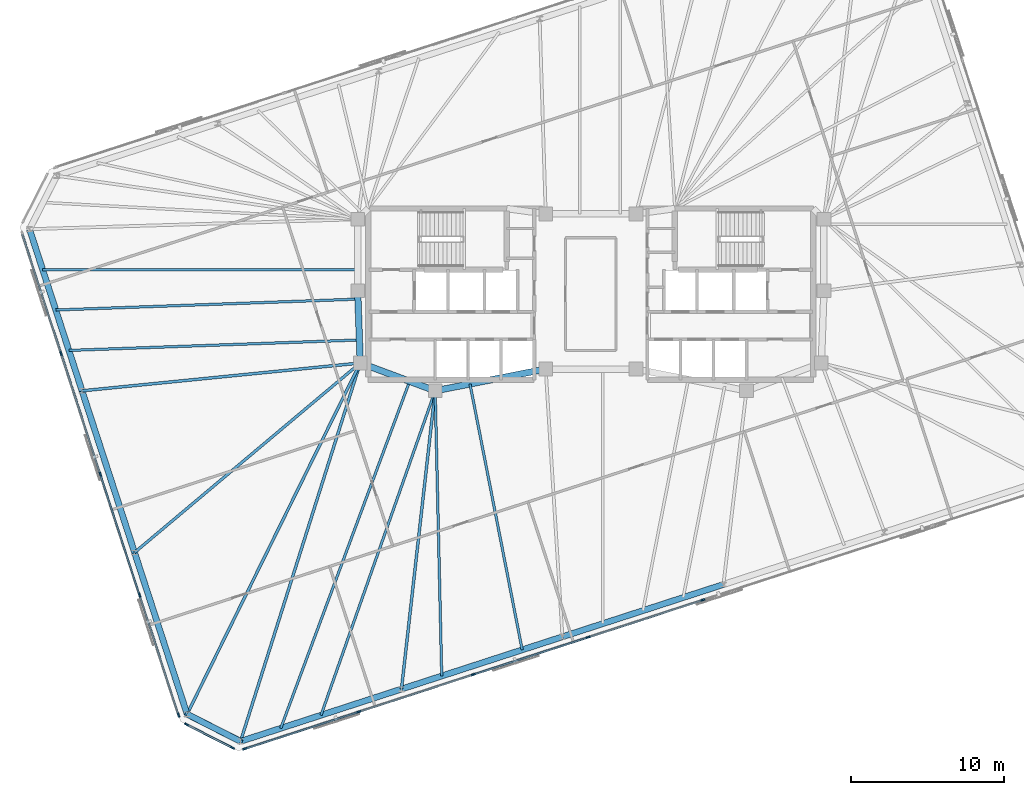
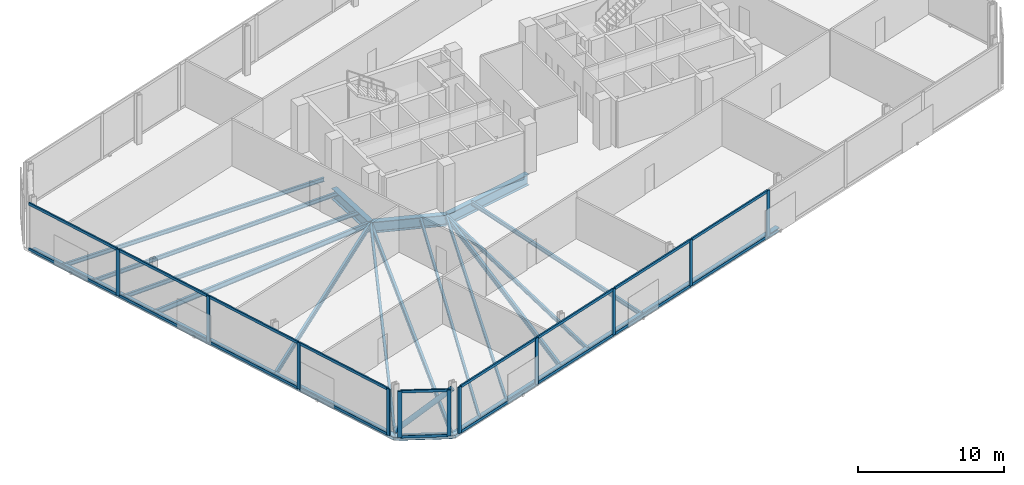
# One storey, part 5 of 14: 30 members, 22 beams, 3 elements without a shape of their own.
"""IFC4 building model written with IfcOpenShell, lengths in metres."""

from ifc_helpers import new_model, si_unit, direction, frame, origin, origin_2d, place, context, subcontext, project, spatial, rectangle, hollow_circle, i_section, extrude, material, material_profile, profile_set, type_object, element, aggregate, save


model = new_model("IFC4")

# Units and contexts
model_context = context("Model", 3, precision=1e-05, world=origin(), true_north=direction((0.0, 1.0)))
body_context = subcontext(model_context, "Body", "Model", "MODEL_VIEW")
ifc_project = project(units=[si_unit("LENGTHUNIT", "METRE"), si_unit("AREAUNIT", "SQUARE_METRE"), si_unit("VOLUMEUNIT", "CUBIC_METRE"), si_unit("PLANEANGLEUNIT", "RADIAN"), si_unit("MASSUNIT", "GRAM", prefix="KILO")], contexts=[model_context])

# Site, building, storey
site_placement = place(None, origin())
site = spatial("IfcSite", under=ifc_project, at=site_placement, CompositionType="ELEMENT")
building_placement = place(site_placement, origin())
building = spatial("IfcBuilding", under=site, at=building_placement, Name="Menara Jurai Vektor", CompositionType="ELEMENT")
storey_placement = place(building_placement, frame((0.0, 0.0, 206.800048828125)))
storey = spatial("IfcBuildingStorey", under=building, at=storey_placement, Name="L54", CompositionType="ELEMENT", Elevation=206.800048828125)

# Curtain wall, members
ifc_material_1 = material(Name="Anodised Pale Aluminium & Low-E Double Glazing", Category="aluminium")
curtain_wall_type = type_object("IfcCurtainWallType", Name="CW-SKY", PredefinedType="NOTDEFINED", material=ifc_material_1)
curtain_wall_1_placement = place(storey_placement, origin())
curtain_wall_1 = element("IfcCurtainWall", 1, at=curtain_wall_1_placement, inside=storey, type_object=curtain_wall_type, Name="Unitised Curtain Wall L54 F01", PredefinedType="NOTDEFINED")
ifc_material_2 = material(Name="Anodised Pale Aluminium Mullion", Category="aluminium")
ifc_material_profile_1 = material_profile(ifc_material_2, rectangle(XDim=0.110107421875, YDim=0.280029296875, at=origin_2d()), Name="ALU MUL 110x280")
ifc_profile_set_1 = profile_set([ifc_material_profile_1], Name="Anodised Pale Aluminium Mullion")
member_type_1 = type_object("IfcMemberType", Name="CW-SKY-MUL", PredefinedType="MULLION", material=ifc_profile_set_1)
member_1_placement = place(storey_placement, frame((-22.635498046875, -29.7392578125, 0.0), z_axis=(0.0, 0.0, 1.0), x_axis=(-0.309017344167, 0.951056402641, 0.0)))
member_1 = element("IfcMember", 2, at=member_1_placement, type_object=member_type_1, Name="CW-06 mullion 1", PredefinedType="MULLION", context=body_context, shape_type="SweptSolid", body=[
    extrude(rectangle(XDim=0.110107421875, YDim=0.280029296875, at=origin_2d()), origin(), (0.0, 0.0, 1.0), 3.875),
])
member_2_placement = place(storey_placement, frame((-15.1826171875, -27.317626953125, 0.0), z_axis=(0.0, 0.0, 1.0), x_axis=(-0.309017344167, 0.951056402641, 0.0)))
member_2 = element("IfcMember", 3, at=member_2_placement, type_object=member_type_1, Name="CW-06 mullion 2", PredefinedType="MULLION", context=body_context, shape_type="SweptSolid", body=[
    extrude(rectangle(XDim=0.110107421875, YDim=0.280029296875, at=origin_2d()), origin(), (0.0, 0.0, 1.0), 3.875),
])
member_3_placement = place(storey_placement, frame((-7.677490234375, -24.879150390625, 0.0), z_axis=(0.0, 0.0, 1.0), x_axis=(-0.309017344167, 0.951056402641, 0.0)))
member_3 = element("IfcMember", 4, at=member_3_placement, type_object=member_type_1, Name="CW-06 mullion 3", PredefinedType="MULLION", context=body_context, shape_type="SweptSolid", body=[
    extrude(rectangle(XDim=0.110107421875, YDim=0.280029296875, at=origin_2d()), origin(), (0.0, 0.0, 1.0), 3.875),
])
member_4_placement = place(storey_placement, frame((-0.17236328125, -22.4404296875, 0.0), z_axis=(0.0, 0.0, 1.0), x_axis=(-0.309017344167, 0.951056402641, 0.0)))
member_4 = element("IfcMember", 5, at=member_4_placement, type_object=member_type_1, Name="CW-06 mullion 4", PredefinedType="MULLION", context=body_context, shape_type="SweptSolid", body=[
    extrude(rectangle(XDim=0.110107421875, YDim=0.280029296875, at=origin_2d()), origin(), (0.0, 0.0, 1.0), 3.875),
])
member_5_placement = place(storey_placement, frame((7.3330078125, -20.001953125, 0.0), z_axis=(0.0, 0.0, 1.0), x_axis=(-0.309017344167, 0.951056402641, 0.0)))
member_5 = element("IfcMember", 6, at=member_5_placement, type_object=member_type_1, Name="CW-06 mullion 5", PredefinedType="MULLION", context=body_context, shape_type="SweptSolid", body=[
    extrude(rectangle(XDim=0.110107421875, YDim=0.280029296875, at=origin_2d()), origin(), (0.0, 0.0, 1.0), 3.875),
])

curtain_wall_2_placement = place(storey_placement, origin())
curtain_wall_2 = element("IfcCurtainWall", 7, at=curtain_wall_2_placement, inside=storey, type_object=curtain_wall_type, Name="Unitised Curtain Wall L54 F07", PredefinedType="NOTDEFINED")
member_6_placement = place(storey_placement, frame((-34.650634765625, -3.876220703125, 0.0), z_axis=(0.0, 0.0, 1.0), x_axis=(0.95105668295, 0.309016481464, 0.0)))
member_6 = element("IfcMember", 8, at=member_6_placement, type_object=member_type_1, Name="CW-06 mullion 2", PredefinedType="MULLION", context=body_context, shape_type="SweptSolid", body=[
    extrude(rectangle(XDim=0.110107421875, YDim=0.280029296875, at=origin_2d()), origin(), (0.0, 0.0, 1.0), 3.875),
])
member_7_placement = place(storey_placement, frame((-32.082763671875, -11.779541015625, 0.0), z_axis=(0.0, 0.0, 1.0), x_axis=(0.95105668295, 0.309016481464, 0.0)))
member_7 = element("IfcMember", 9, at=member_7_placement, type_object=member_type_1, Name="CW-06 mullion 3", PredefinedType="MULLION", context=body_context, shape_type="SweptSolid", body=[
    extrude(rectangle(XDim=0.110107421875, YDim=0.280029296875, at=origin_2d()), origin(), (0.0, 0.0, 1.0), 3.875),
])
member_8_placement = place(storey_placement, frame((-29.514892578125, -19.682861328125, 0.0), z_axis=(0.0, 0.0, 1.0), x_axis=(0.95105668295, 0.309016481464, 0.0)))
member_8 = element("IfcMember", 10, at=member_8_placement, type_object=member_type_1, Name="CW-06 mullion 4", PredefinedType="MULLION", context=body_context, shape_type="SweptSolid", body=[
    extrude(rectangle(XDim=0.110107421875, YDim=0.280029296875, at=origin_2d()), origin(), (0.0, 0.0, 1.0), 3.875),
])
member_9_placement = place(storey_placement, frame((-26.9638671875, -27.53369140625, 0.0), z_axis=(0.0, 0.0, 1.0), x_axis=(0.95105668295, 0.309016481464, 0.0)))
member_9 = element("IfcMember", 11, at=member_9_placement, type_object=member_type_1, Name="CW-06 mullion 5", PredefinedType="MULLION", context=body_context, shape_type="SweptSolid", body=[
    extrude(rectangle(XDim=0.110107421875, YDim=0.280029296875, at=origin_2d()), origin(), (0.0, 0.0, 1.0), 3.875),
])

curtain_wall_3_placement = place(storey_placement, origin())
curtain_wall_3 = element("IfcCurtainWall", 12, at=curtain_wall_3_placement, inside=storey, type_object=curtain_wall_type, Name="Unitised Curtain Wall L54 F08", PredefinedType="NOTDEFINED")
member_10_placement = place(storey_placement, frame((-26.44189453125, -28.14501953125, 0.0), z_axis=(0.0, 0.0, 1.0), x_axis=(0.453988579828, 0.89100750243, 0.0)))
member_10 = element("IfcMember", 13, at=member_10_placement, type_object=member_type_1, Name="CW-06 mullion 1", PredefinedType="MULLION", context=body_context, shape_type="SweptSolid", body=[
    extrude(rectangle(XDim=0.110107421875, YDim=0.280029296875, at=origin_2d()), origin(), (0.0, 0.0, 1.0), 3.875),
])
member_11_placement = place(storey_placement, frame((-23.436767578125, -29.676025390625, 0.0), z_axis=(0.0, 0.0, 1.0), x_axis=(0.453988579828, 0.89100750243, 0.0)))
member_11 = element("IfcMember", 14, at=member_11_placement, type_object=member_type_1, Name="CW-06 mullion 2", PredefinedType="MULLION", context=body_context, shape_type="SweptSolid", body=[
    extrude(rectangle(XDim=0.110107421875, YDim=0.280029296875, at=origin_2d()), origin(), (0.0, 0.0, 1.0), 3.875),
])

# Member
ifc_material_3 = material(Name="Anodised Pale Aluminium Transom", Category="aluminium")
ifc_material_profile_2 = material_profile(ifc_material_3, rectangle(XDim=0.110107421875, YDim=0.219970703125, at=origin_2d()), Name="ALU TRN 110x220")
ifc_profile_set_2 = profile_set([ifc_material_profile_2], Name="Anodised Pale Aluminium Transom")
member_type_2 = type_object("IfcMemberType", Name="CW-SKY-TRN", PredefinedType="USERDEFINED", material=ifc_profile_set_2)
member_12_placement = place(storey_placement, frame((-22.583251953125, -29.72216796875, 0.054931640625), z_axis=(0.951063554534, 0.308995332064, 0.0), x_axis=(-0.308995332064, 0.951063554534, 0.0)))
member_12 = element("IfcMember", 15, at=member_12_placement, type_object=member_type_2, Name="CW-06 transom 1.1", ObjectType="TRANSOM", PredefinedType="USERDEFINED", context=body_context, shape_type="SweptSolid", body=[
    extrude(rectangle(XDim=0.110107421875, YDim=0.219970703125, at=origin_2d()), origin(), (0.0, 0.0, 1.0), 7.7265625),
])

member_13_placement = place(storey_placement, frame((-22.583251953125, -29.72216796875, 3.820068359375), z_axis=(0.951063554534, 0.308995332064, 0.0), x_axis=(-0.308995332064, 0.951063554534, 0.0)))
member_13 = element("IfcMember", 16, at=member_13_placement, type_object=member_type_2, Name="CW-06 transom 1.2", ObjectType="TRANSOM", PredefinedType="USERDEFINED", context=body_context, shape_type="SweptSolid", body=[
    extrude(rectangle(XDim=0.110107421875, YDim=0.219970703125, at=origin_2d()), origin(), (0.0, 0.0, 1.0), 7.7265625),
])

member_14_placement = place(storey_placement, frame((-15.13037109375, -27.300537109375, 0.054931640625), z_axis=(0.951059197217, 0.309008743225, 0.0), x_axis=(-0.309008743225, 0.951059197217, 0.0)))
member_14 = element("IfcMember", 17, at=member_14_placement, type_object=member_type_2, Name="CW-06 transom 2.1", ObjectType="TRANSOM", PredefinedType="USERDEFINED", context=body_context, shape_type="SweptSolid", body=[
    extrude(rectangle(XDim=0.110107421875, YDim=0.219970703125, at=origin_2d()), origin(), (0.0, 0.0, 1.0), 7.781494140625),
])

member_15_placement = place(storey_placement, frame((-15.13037109375, -27.300537109375, 3.820068359375), z_axis=(0.951059197217, 0.309008743225, 0.0), x_axis=(-0.309008743225, 0.951059197217, 0.0)))
member_15 = element("IfcMember", 18, at=member_15_placement, type_object=member_type_2, Name="CW-06 transom 2.2", ObjectType="TRANSOM", PredefinedType="USERDEFINED", context=body_context, shape_type="SweptSolid", body=[
    extrude(rectangle(XDim=0.110107421875, YDim=0.219970703125, at=origin_2d()), origin(), (0.0, 0.0, 1.0), 7.781494140625),
])

member_16_placement = place(storey_placement, frame((-7.625, -24.862060546875, 0.054931640625), z_axis=(0.951056201232, 0.309017964038, 0.0), x_axis=(-0.309017964038, 0.951056201232, 0.0)))
member_16 = element("IfcMember", 19, at=member_16_placement, type_object=member_type_2, Name="CW-06 transom 3.1", ObjectType="TRANSOM", PredefinedType="USERDEFINED", context=body_context, shape_type="SweptSolid", body=[
    extrude(rectangle(XDim=0.110107421875, YDim=0.219970703125, at=origin_2d()), origin(), (0.0, 0.0, 1.0), 7.78125),
])

member_17_placement = place(storey_placement, frame((-7.625, -24.862060546875, 3.820068359375), z_axis=(0.951056201232, 0.309017964038, 0.0), x_axis=(-0.309017964038, 0.951056201232, 0.0)))
member_17 = element("IfcMember", 20, at=member_17_placement, type_object=member_type_2, Name="CW-06 transom 3.2", ObjectType="TRANSOM", PredefinedType="USERDEFINED", context=body_context, shape_type="SweptSolid", body=[
    extrude(rectangle(XDim=0.110107421875, YDim=0.219970703125, at=origin_2d()), origin(), (0.0, 0.0, 1.0), 7.78125),
])

member_18_placement = place(storey_placement, frame((-0.119873046875, -22.42333984375, 0.054931640625), z_axis=(0.951056201232, 0.309017964038, 0.0), x_axis=(-0.309017964038, 0.951056201232, 0.0)))
member_18 = element("IfcMember", 21, at=member_18_placement, type_object=member_type_2, Name="CW-06 transom 4.1", ObjectType="TRANSOM", PredefinedType="USERDEFINED", context=body_context, shape_type="SweptSolid", body=[
    extrude(rectangle(XDim=0.110107421875, YDim=0.219970703125, at=origin_2d()), origin(), (0.0, 0.0, 1.0), 7.78125),
])

member_19_placement = place(storey_placement, frame((-0.119873046875, -22.42333984375, 3.820068359375), z_axis=(0.951056201232, 0.309017964038, 0.0), x_axis=(-0.309017964038, 0.951056201232, 0.0)))
member_19 = element("IfcMember", 22, at=member_19_placement, type_object=member_type_2, Name="CW-06 transom 4.2", ObjectType="TRANSOM", PredefinedType="USERDEFINED", context=body_context, shape_type="SweptSolid", body=[
    extrude(rectangle(XDim=0.110107421875, YDim=0.219970703125, at=origin_2d()), origin(), (0.0, 0.0, 1.0), 7.78125),
])

aggregate(curtain_wall_1, [member_1, member_2, member_3, member_4, member_5, member_12, member_13, member_14, member_15, member_16, member_17, member_18, member_19])

member_20_placement = place(storey_placement, frame((-37.1845703125, 3.92236328125, 0.054931640625), z_axis=(0.30900677194, -0.951059837705, 0.0), x_axis=(0.951059837705, 0.30900677194, 0.0)))
member_20 = element("IfcMember", 23, at=member_20_placement, type_object=member_type_2, Name="CW-06 transom 1.1", ObjectType="TRANSOM", PredefinedType="USERDEFINED", context=body_context, shape_type="SweptSolid", body=[
    extrude(rectangle(XDim=0.110107421875, YDim=0.219970703125, at=origin_2d()), origin(), (0.0, 0.0, 1.0), 8.14501953125),
])

member_21_placement = place(storey_placement, frame((-37.1845703125, 3.92236328125, 3.820068359375), z_axis=(0.30900677194, -0.951059837705, 0.0), x_axis=(0.951059837705, 0.30900677194, 0.0)))
member_21 = element("IfcMember", 24, at=member_21_placement, type_object=member_type_2, Name="CW-06 transom 1.2", ObjectType="TRANSOM", PredefinedType="USERDEFINED", context=body_context, shape_type="SweptSolid", body=[
    extrude(rectangle(XDim=0.110107421875, YDim=0.219970703125, at=origin_2d()), origin(), (0.0, 0.0, 1.0), 8.14501953125),
])

member_22_placement = place(storey_placement, frame((-34.6337890625, -3.928466796875, 0.054931640625), z_axis=(0.309010671921, -0.951058570562, 0.0), x_axis=(0.951058570562, 0.309010671921, 0.0)))
member_22 = element("IfcMember", 25, at=member_22_placement, type_object=member_type_2, Name="CW-06 transom 2.1", ObjectType="TRANSOM", PredefinedType="USERDEFINED", context=body_context, shape_type="SweptSolid", body=[
    extrude(rectangle(XDim=0.110107421875, YDim=0.219970703125, at=origin_2d()), origin(), (0.0, 0.0, 1.0), 8.2001953125),
])

member_23_placement = place(storey_placement, frame((-34.6337890625, -3.928466796875, 3.820068359375), z_axis=(0.309010671921, -0.951058570562, 0.0), x_axis=(0.951058570562, 0.309010671921, 0.0)))
member_23 = element("IfcMember", 26, at=member_23_placement, type_object=member_type_2, Name="CW-06 transom 2.2", ObjectType="TRANSOM", PredefinedType="USERDEFINED", context=body_context, shape_type="SweptSolid", body=[
    extrude(rectangle(XDim=0.110107421875, YDim=0.219970703125, at=origin_2d()), origin(), (0.0, 0.0, 1.0), 8.2001953125),
])

member_24_placement = place(storey_placement, frame((-32.065673828125, -11.831787109375, 0.054931640625), z_axis=(0.309010671921, -0.951058570562, 0.0), x_axis=(0.951058570562, 0.309010671921, 0.0)))
member_24 = element("IfcMember", 27, at=member_24_placement, type_object=member_type_2, Name="CW-06 transom 3.1", ObjectType="TRANSOM", PredefinedType="USERDEFINED", context=body_context, shape_type="SweptSolid", body=[
    extrude(rectangle(XDim=0.110107421875, YDim=0.219970703125, at=origin_2d()), origin(), (0.0, 0.0, 1.0), 8.2001953125),
])

member_25_placement = place(storey_placement, frame((-32.065673828125, -11.831787109375, 3.820068359375), z_axis=(0.309010671921, -0.951058570562, 0.0), x_axis=(0.951058570562, 0.309010671921, 0.0)))
member_25 = element("IfcMember", 28, at=member_25_placement, type_object=member_type_2, Name="CW-06 transom 3.2", ObjectType="TRANSOM", PredefinedType="USERDEFINED", context=body_context, shape_type="SweptSolid", body=[
    extrude(rectangle(XDim=0.110107421875, YDim=0.219970703125, at=origin_2d()), origin(), (0.0, 0.0, 1.0), 8.2001953125),
])

member_26_placement = place(storey_placement, frame((-29.497802734375, -19.735107421875, 0.054931640625), z_axis=(0.30900677194, -0.951059837705, 0.0), x_axis=(0.951059837705, 0.30900677194, 0.0)))
member_26 = element("IfcMember", 29, at=member_26_placement, type_object=member_type_2, Name="CW-06 transom 4.1", ObjectType="TRANSOM", PredefinedType="USERDEFINED", context=body_context, shape_type="SweptSolid", body=[
    extrude(rectangle(XDim=0.110107421875, YDim=0.219970703125, at=origin_2d()), origin(), (0.0, 0.0, 1.0), 8.14501953125),
])

member_27_placement = place(storey_placement, frame((-29.497802734375, -19.735107421875, 3.820068359375), z_axis=(0.30900677194, -0.951059837705, 0.0), x_axis=(0.951059837705, 0.30900677194, 0.0)))
member_27 = element("IfcMember", 30, at=member_27_placement, type_object=member_type_2, Name="CW-06 transom 4.2", ObjectType="TRANSOM", PredefinedType="USERDEFINED", context=body_context, shape_type="SweptSolid", body=[
    extrude(rectangle(XDim=0.110107421875, YDim=0.219970703125, at=origin_2d()), origin(), (0.0, 0.0, 1.0), 8.14501953125),
])

aggregate(curtain_wall_2, [member_6, member_7, member_8, member_9, member_20, member_21, member_22, member_23, member_24, member_25, member_26, member_27])

member_28_placement = place(storey_placement, frame((-26.392822265625, -28.169921875, 0.054931640625), z_axis=(0.891004088303, -0.453995280401, 0.0), x_axis=(0.453995280401, 0.891004088303, 0.0)))
member_28 = element("IfcMember", 31, at=member_28_placement, type_object=member_type_2, Name="CW-06 transom 1.1", ObjectType="TRANSOM", PredefinedType="USERDEFINED", context=body_context, shape_type="SweptSolid", body=[
    extrude(rectangle(XDim=0.110107421875, YDim=0.219970703125, at=origin_2d()), origin(), (0.0, 0.0, 1.0), 3.2626953125),
])

member_29_placement = place(storey_placement, frame((-26.392822265625, -28.169921875, 3.820068359375), z_axis=(0.891004088303, -0.453995280401, 0.0), x_axis=(0.453995280401, 0.891004088303, 0.0)))
member_29 = element("IfcMember", 32, at=member_29_placement, type_object=member_type_2, Name="CW-06 transom 1.2", ObjectType="TRANSOM", PredefinedType="USERDEFINED", context=body_context, shape_type="SweptSolid", body=[
    extrude(rectangle(XDim=0.110107421875, YDim=0.219970703125, at=origin_2d()), origin(), (0.0, 0.0, 1.0), 3.2626953125),
])

aggregate(curtain_wall_3, [member_10, member_11, member_28, member_29])

# Beams
ifc_material_4 = material(Name="Steel S355", Category="steel")
ifc_material_profile_3 = material_profile(ifc_material_4, i_section(OverallWidth=0.18505859375, OverallDepth=0.429931640625, WebThickness=0.010986328125, FlangeThickness=0.01806640625, at=origin_2d()), Name="PG 430x185x76")
ifc_profile_set_3 = profile_set([ifc_material_profile_3], Name="Steel S355")
beam_type_1 = type_object("IfcBeamType", Name="STR-BM-430", PredefinedType="BEAM", material=ifc_profile_set_3)
beam_1_placement = place(storey_placement, frame((-22.912841796875, -29.2509765625, -0.465087890625), z_axis=(0.301715059084, 0.953398145122, 0.0), x_axis=(-0.953398145122, 0.301715059084, 0.0)))
element("IfcBeam", 33, at=beam_1_placement, inside=storey, type_object=beam_type_1, Name="Radial Floor Girder L54-S1", PredefinedType="BEAM", context=body_context, shape_type="SweptSolid", body=[
    extrude(i_section(OverallWidth=0.18505859375, OverallDepth=0.429931640625, WebThickness=0.010986328125, FlangeThickness=0.01806640625, at=origin_2d()), origin(), (0.0, 0.0, 1.0), 25.960693359375),
])
beam_2_placement = place(storey_placement, frame((-12.383544921875, -25.829833984375, -0.465087890625), z_axis=(0.112235588534, 0.993681625404, 0.0), x_axis=(-0.993681625404, 0.112235588534, 0.0)))
element("IfcBeam", 34, at=beam_2_placement, inside=storey, type_object=beam_type_1, Name="Radial Floor Girder L54-S2", PredefinedType="BEAM", context=body_context, shape_type="SweptSolid", body=[
    extrude(i_section(OverallWidth=0.18505859375, OverallDepth=0.429931640625, WebThickness=0.010986328125, FlangeThickness=0.01806640625, at=origin_2d()), origin(), (0.0, 0.0, 1.0), 19.6337890625),
])
beam_3_placement = place(storey_placement, frame((-33.277587890625, -6.322509765625, -0.465087890625), z_axis=(0.995022243563, 0.099653072276, 0.0), x_axis=(-0.099653072276, 0.995022243563, 0.0)))
element("IfcBeam", 35, at=beam_3_placement, inside=storey, type_object=beam_type_1, Name="Radial Floor Girder L54-W2", PredefinedType="BEAM", context=body_context, shape_type="SweptSolid", body=[
    extrude(i_section(OverallWidth=0.18505859375, OverallDepth=0.429931640625, WebThickness=0.010986328125, FlangeThickness=0.01806640625, at=origin_2d()), origin(), (0.0, 0.0, 1.0), 18.28857421875),
])
beam_4_placement = place(storey_placement, frame((-29.841796875, -16.896728515625, -0.465087890625), z_axis=(0.765784449649, 0.64309733064, 0.0), x_axis=(-0.64309733064, 0.765784449649, 0.0)))
element("IfcBeam", 36, at=beam_4_placement, inside=storey, type_object=beam_type_1, Name="Radial Floor Girder L54-W3", PredefinedType="BEAM", context=body_context, shape_type="SweptSolid", body=[
    extrude(i_section(OverallWidth=0.18505859375, OverallDepth=0.429931640625, WebThickness=0.010986328125, FlangeThickness=0.01806640625, at=origin_2d()), origin(), (0.0, 0.0, 1.0), 19.276611328125),
])
beam_5_placement = place(storey_placement, frame((-26.406005859375, -27.47119140625, -0.465087890625), z_axis=(0.442219272094, 0.896906971424, 0.0), x_axis=(-0.896906971424, 0.442219272094, 0.0)))
element("IfcBeam", 37, at=beam_5_placement, inside=storey, type_object=beam_type_1, Name="Radial Floor Girder L54-W4", PredefinedType="BEAM", context=body_context, shape_type="SweptSolid", body=[
    extrude(i_section(OverallWidth=0.18505859375, OverallDepth=0.429931640625, WebThickness=0.010986328125, FlangeThickness=0.01806640625, at=origin_2d()), origin(), (0.0, 0.0, 1.0), 25.611572265625),
])
ifc_material_5 = material(Name="Steel S460", Category="steel")
ifc_material_profile_4 = material_profile(ifc_material_5, i_section(OverallWidth=0.39697265625, OverallDepth=0.31591796875, WebThickness=0.030029296875, FlangeThickness=0.048095703125, FilletRadius=0.014892578125, at=origin_2d()), Name="HD 400x382")
ifc_profile_set_4 = profile_set([ifc_material_profile_4], Name="Steel S460")
beam_type_2 = type_object("IfcBeamType", Name="STR-BM-CHORD382", PredefinedType="SPANDREL", material=ifc_profile_set_4)
for number, where, z_axis, x_axis, name in (
    (38, (-22.912841796875, -29.2509765625, -0.407958984375), (0.951057401967, 0.309014268544, 0.0), (-0.309014268544, 0.951057401967, 0.0), "Exoskeleton Spandrel Beam L54-01"),
    (39, (-12.383544921875, -25.829833984375, -0.407958984375), (0.951057401967, 0.309014268544, 0.0), (-0.309014268544, 0.951057401967, 0.0), "Exoskeleton Spandrel Beam L54-02"),
    (40, (-1.854248046875, -22.40869140625, -0.407958984375), (0.951057401967, 0.309014268544, 0.0), (-0.309014268544, 0.951057401967, 0.0), "Exoskeleton Spandrel Beam L54-03"),
):
    element("IfcBeam", number, at=place(storey_placement, frame(where, z_axis=z_axis, x_axis=x_axis)), inside=storey, type_object=beam_type_2, Name=name, PredefinedType="SPANDREL", context=body_context, shape_type="SweptSolid", body=[
        extrude(i_section(OverallWidth=0.39697265625, OverallDepth=0.31591796875, WebThickness=0.030029296875, FlangeThickness=0.048095703125, FilletRadius=0.014892578125, at=origin_2d()), origin(), (0.0, 0.0, 1.0), 11.071044921875),
    ])
beam_6_placement = place(storey_placement, frame((-36.71337890625, 4.251953125, -0.407958984375), z_axis=(0.309012092614, -0.95105810896, 0.0), x_axis=(0.95105810896, 0.309012092614, 0.0)))
element("IfcBeam", 41, at=beam_6_placement, inside=storey, type_object=beam_type_2, Name="Exoskeleton Spandrel Beam L54-17", PredefinedType="SPANDREL", context=body_context, shape_type="SweptSolid", body=[
    extrude(i_section(OverallWidth=0.39697265625, OverallDepth=0.31591796875, WebThickness=0.030029296875, FlangeThickness=0.048095703125, FilletRadius=0.014892578125, at=origin_2d()), origin(), (0.0, 0.0, 1.0), 11.11865234375),
])
beam_7_placement = place(storey_placement, frame((-33.277587890625, -6.322509765625, -0.407958984375), z_axis=(0.309018545885, -0.951056012178, 0.0), x_axis=(0.951056012178, 0.309018545885, 0.0)))
element("IfcBeam", 42, at=beam_7_placement, inside=storey, type_object=beam_type_2, Name="Exoskeleton Spandrel Beam L54-18", PredefinedType="SPANDREL", context=body_context, shape_type="SweptSolid", body=[
    extrude(i_section(OverallWidth=0.39697265625, OverallDepth=0.31591796875, WebThickness=0.030029296875, FlangeThickness=0.048095703125, FilletRadius=0.014892578125, at=origin_2d()), origin(), (0.0, 0.0, 1.0), 11.118408203125),
])
beam_8_placement = place(storey_placement, frame((-29.841796875, -16.896728515625, -0.407958984375), z_axis=(0.309012092614, -0.95105810896, 0.0), x_axis=(0.95105810896, 0.309012092614, 0.0)))
element("IfcBeam", 43, at=beam_8_placement, inside=storey, type_object=beam_type_2, Name="Exoskeleton Spandrel Beam L54-19", PredefinedType="SPANDREL", context=body_context, shape_type="SweptSolid", body=[
    extrude(i_section(OverallWidth=0.39697265625, OverallDepth=0.31591796875, WebThickness=0.030029296875, FlangeThickness=0.048095703125, FilletRadius=0.014892578125, at=origin_2d()), origin(), (0.0, 0.0, 1.0), 11.11865234375),
])
beam_9_placement = place(storey_placement, frame((-26.406005859375, -27.47119140625, -0.407958984375), z_axis=(0.891013832566, -0.453976155955, 0.0), x_axis=(0.453976155955, 0.891013832566, 0.0)))
element("IfcBeam", 44, at=beam_9_placement, inside=storey, type_object=beam_type_2, Name="Exoskeleton Spandrel Beam L54-20", PredefinedType="SPANDREL", context=body_context, shape_type="SweptSolid", body=[
    extrude(i_section(OverallWidth=0.39697265625, OverallDepth=0.31591796875, WebThickness=0.030029296875, FlangeThickness=0.048095703125, FilletRadius=0.014892578125, at=origin_2d()), origin(), (0.0, 0.0, 1.0), 3.92041015625),
])
ifc_material_profile_5 = material_profile(ifc_material_5, i_section(OverallWidth=0.4208984375, OverallDepth=0.9208984375, WebThickness=0.02099609375, FlangeThickness=0.037109375, FilletRadius=0.02392578125, at=origin_2d()), Name="UKB 914x419x388")
ifc_profile_set_5 = profile_set([ifc_material_profile_5], Name="Steel S460")
beam_type_3 = type_object("IfcBeamType", Name="STR-BM-TR914", PredefinedType="BEAM", material=ifc_profile_set_5)
beam_10_placement = place(storey_placement, frame((-15.080078125, -4.5, -0.71044921875), z_axis=(-0.035977314146, 0.999352606874, 0.0), x_axis=(-0.999352606874, -0.035977314146, 0.0)))
element("IfcBeam", 45, at=beam_10_placement, inside=storey, type_object=beam_type_3, Name="Core Ring Header Girder L54-CHW-W2", PredefinedType="BEAM", context=body_context, shape_type="SweptSolid", body=[
    extrude(i_section(OverallWidth=0.4208984375, OverallDepth=0.9208984375, WebThickness=0.02099609375, FlangeThickness=0.037109375, FilletRadius=0.02392578125, at=origin_2d()), origin(), (0.0, 0.0, 1.0), 4.72314453125),
])
beam_11_placement = place(storey_placement, frame((-15.080078125, -4.5, -0.71044921875), z_axis=(0.937424400887, -0.348188874925, 0.0), x_axis=(0.348188874925, 0.937424400887, 0.0)))
element("IfcBeam", 46, at=beam_11_placement, inside=storey, type_object=beam_type_3, Name="Core Ring Header Girder L54-CHW-S1", PredefinedType="BEAM", context=body_context, shape_type="SweptSolid", body=[
    extrude(i_section(OverallWidth=0.4208984375, OverallDepth=0.9208984375, WebThickness=0.02099609375, FlangeThickness=0.037109375, FilletRadius=0.02392578125, at=origin_2d()), origin(), (0.0, 0.0, 1.0), 5.227294921875),
])
beam_12_placement = place(storey_placement, frame((-10.179931640625, -6.320068359375, -0.71044921875), z_axis=(0.981249044334, 0.192744164614, 0.0), x_axis=(-0.192744164614, 0.981249044334, 0.0)))
element("IfcBeam", 47, at=beam_12_placement, inside=storey, type_object=beam_type_3, Name="Core Ring Header Girder L54-CHW-S2", PredefinedType="BEAM", context=body_context, shape_type="SweptSolid", body=[
    extrude(i_section(OverallWidth=0.4208984375, OverallDepth=0.9208984375, WebThickness=0.02099609375, FlangeThickness=0.037109375, FilletRadius=0.02392578125, at=origin_2d()), origin(), (0.0, 0.0, 1.0), 7.3681640625),
])

# Member
ifc_material_profile_6 = material_profile(ifc_material_5, hollow_circle(Radius=0.203125, WallThickness=0.01611328125, at=origin_2d()), Name="CHS 406.4x16")
ifc_profile_set_6 = profile_set([ifc_material_profile_6], Name="Steel S460")
member_type_3 = type_object("IfcMemberType", Name="STR-BR-406", PredefinedType="BRACE", material=ifc_profile_set_6)
member_30_placement = place(storey_placement, frame((-26.406005859375, -27.47119140625, 0.14990234375), z_axis=(0.675261880456, -0.344049420501, 0.652419641838), x_axis=(0.453976155955, 0.891013832566, 0.0)))
element("IfcMember", 48, at=member_30_placement, inside=storey, type_object=member_type_3, Name="Exoskeleton Corner Brace L54-4", PredefinedType="BRACE", context=body_context, shape_type="SweptSolid", body=[
    extrude(hollow_circle(Radius=0.203125, WallThickness=0.01611328125, at=origin_2d()), origin(), (0.0, 0.0, 1.0), 5.173095703125),
])

# Beams
ifc_material_profile_7 = material_profile(ifc_material_4, i_section(OverallWidth=0.1650390625, OverallDepth=0.330078125, WebThickness=0.009033203125, FlangeThickness=0.013916015625, at=origin_2d()), Name="PG 330x165x46")
ifc_profile_set_7 = profile_set([ifc_material_profile_7], Name="Steel S355")
beam_type_4 = type_object("IfcBeamType", Name="STR-JS-330", PredefinedType="JOIST", material=ifc_profile_set_7)
beam_13_placement = place(storey_placement, frame((-20.280517578125, -28.395751953125, -0.4150390625), z_axis=(0.348182225555, 0.937426870645, 0.0), x_axis=(-0.937426870645, 0.348182225555, 0.0)))
element("IfcBeam", 49, at=beam_13_placement, inside=storey, type_object=beam_type_4, Name="Radial Secondary Floor Joist L54-JS01", PredefinedType="JOIST", context=body_context, shape_type="SweptSolid", body=[
    extrude(i_section(OverallWidth=0.1650390625, OverallDepth=0.330078125, WebThickness=0.009033203125, FlangeThickness=0.013916015625, at=origin_2d()), origin(), (0.0, 0.0, 1.0), 24.211181640625),
])
beam_14_placement = place(storey_placement, frame((-17.648193359375, -27.540283203125, -0.4150390625), z_axis=(0.331980963321, 0.943286085974, 0.0), x_axis=(-0.943286085974, 0.331980963321, 0.0)))
element("IfcBeam", 50, at=beam_14_placement, inside=storey, type_object=beam_type_4, Name="Radial Secondary Floor Joist L54-JS02", PredefinedType="JOIST", context=body_context, shape_type="SweptSolid", body=[
    extrude(i_section(OverallWidth=0.1650390625, OverallDepth=0.330078125, WebThickness=0.009033203125, FlangeThickness=0.013916015625, at=origin_2d()), origin(), (0.0, 0.0, 1.0), 22.49609375),
])
beam_15_placement = place(storey_placement, frame((-9.751220703125, -24.974609375, -0.4150390625), z_axis=(-0.022975519442, 0.999736027913, 0.0), x_axis=(-0.999736027913, -0.022975519442, 0.0)))
element("IfcBeam", 51, at=beam_15_placement, inside=storey, type_object=beam_type_4, Name="Radial Secondary Floor Joist L54-JS03", PredefinedType="JOIST", context=body_context, shape_type="SweptSolid", body=[
    extrude(i_section(OverallWidth=0.1650390625, OverallDepth=0.330078125, WebThickness=0.009033203125, FlangeThickness=0.013916015625, at=origin_2d()), origin(), (0.0, 0.0, 1.0), 18.659423828125),
])
beam_16_placement = place(storey_placement, frame((-4.486572265625, -23.263916015625, -0.4150390625), z_axis=(-0.192724225092, 0.981252960792, 0.0), x_axis=(-0.981252960792, -0.192724225092, 0.0)))
element("IfcBeam", 52, at=beam_16_placement, inside=storey, type_object=beam_type_4, Name="Radial Secondary Floor Joist L54-JS04", PredefinedType="JOIST", context=body_context, shape_type="SweptSolid", body=[
    extrude(i_section(OverallWidth=0.1650390625, OverallDepth=0.330078125, WebThickness=0.009033203125, FlangeThickness=0.013916015625, at=origin_2d()), origin(), (0.0, 0.0, 1.0), 17.7236328125),
])
beam_17_placement = place(storey_placement, frame((-35.8544921875, 1.6083984375, -0.4150390625), z_axis=(1.0, 0.0, 0.0), x_axis=(0.0, 1.0, 0.0)))
element("IfcBeam", 53, at=beam_17_placement, inside=storey, type_object=beam_type_4, Name="Radial Secondary Floor Joist L54-JS28", PredefinedType="JOIST", context=body_context, shape_type="SweptSolid", body=[
    extrude(i_section(OverallWidth=0.1650390625, OverallDepth=0.330078125, WebThickness=0.009033203125, FlangeThickness=0.013916015625, at=origin_2d()), origin(), (0.0, 0.0, 1.0), 20.6044921875),
])
beam_18_placement = place(storey_placement, frame((-34.99560546875, -1.03515625, -0.4150390625), z_axis=(0.999351957959, 0.035995334734, 0.0), x_axis=(-0.035995334734, 0.999351957959, 0.0)))
element("IfcBeam", 54, at=beam_18_placement, inside=storey, type_object=beam_type_4, Name="Radial Secondary Floor Joist L54-JS29", PredefinedType="JOIST", context=body_context, shape_type="SweptSolid", body=[
    extrude(i_section(OverallWidth=0.1650390625, OverallDepth=0.330078125, WebThickness=0.009033203125, FlangeThickness=0.013916015625, at=origin_2d()), origin(), (0.0, 0.0, 1.0), 19.77783203125),
])
beam_19_placement = place(storey_placement, frame((-34.136474609375, -3.6787109375, -0.4150390625), z_axis=(0.999352161922, 0.035989671603, 0.0), x_axis=(-0.035989671603, 0.999352161922, 0.0)))
element("IfcBeam", 55, at=beam_19_placement, inside=storey, type_object=beam_type_4, Name="Radial Secondary Floor Joist L54-JS30", PredefinedType="JOIST", context=body_context, shape_type="SweptSolid", body=[
    extrude(i_section(OverallWidth=0.1650390625, OverallDepth=0.330078125, WebThickness=0.009033203125, FlangeThickness=0.013916015625, at=origin_2d()), origin(), (0.0, 0.0, 1.0), 19.014404296875),
])

save(model, "model.ifc")
